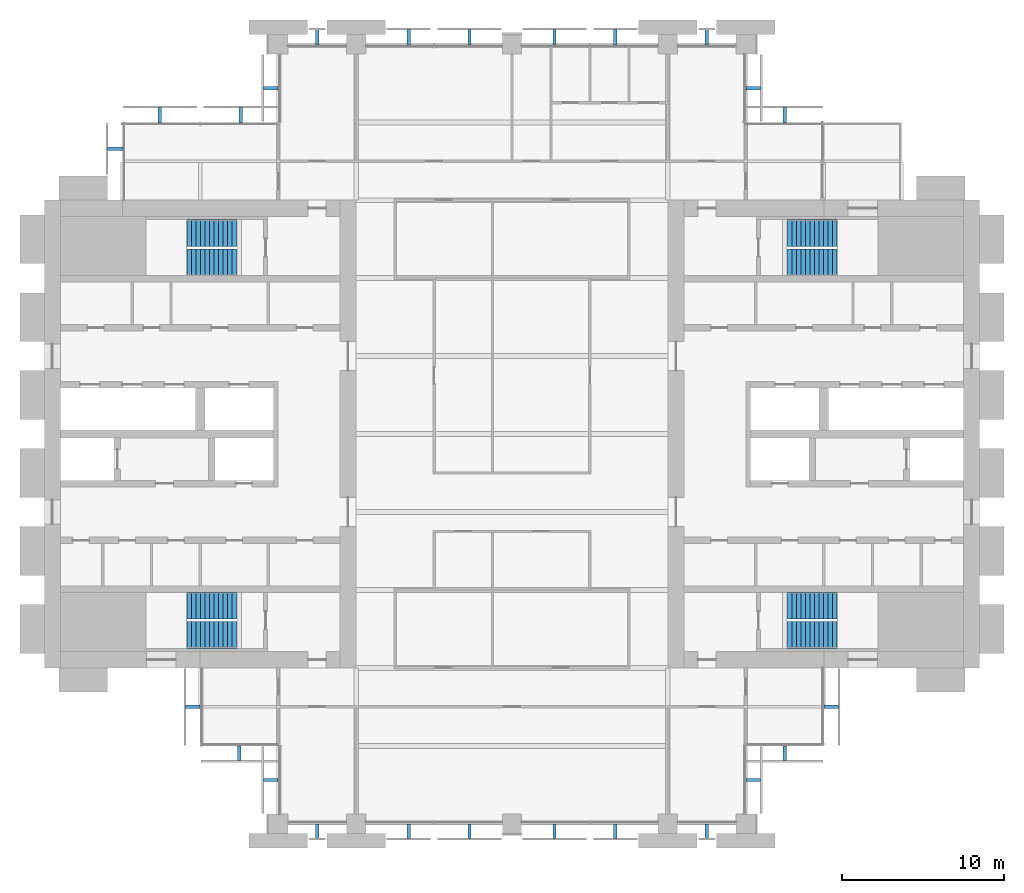
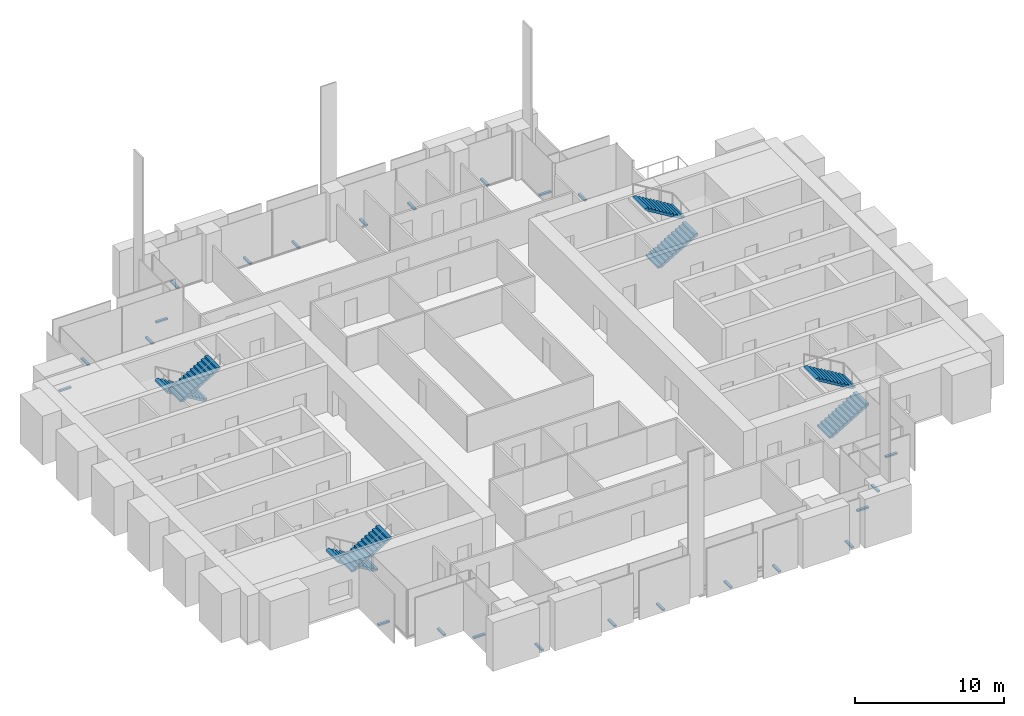
# One storey, part 13 of 14: 24 discrete accessories, 8 stair flights, 4 elements without a shape of their own.
"""IFC4 building model written with IfcOpenShell, lengths in metres."""

from ifc_helpers import new_model, si_unit, direction, frame, origin, origin_2d, place, context, subcontext, project, spatial, polyline, rectangle, outline, extrude, material, type_object, element, aggregate, save


model = new_model("IFC4")

# Units and contexts
model_context = context("Model", 3, precision=1e-05, world=origin(), true_north=direction((0.0, 1.0)))
body_context = subcontext(model_context, "Body", "Model", "MODEL_VIEW")
ifc_project = project(units=[si_unit("LENGTHUNIT", "METRE"), si_unit("AREAUNIT", "SQUARE_METRE"), si_unit("VOLUMEUNIT", "CUBIC_METRE"), si_unit("PLANEANGLEUNIT", "RADIAN"), si_unit("MASSUNIT", "GRAM", prefix="KILO")], contexts=[model_context])

# Site, building, storey
site_placement = place(None, origin())
site = spatial("IfcSite", under=ifc_project, at=site_placement, CompositionType="ELEMENT")
building_placement = place(site_placement, origin())
building = spatial("IfcBuilding", under=site, at=building_placement, Name="Baori Bourse Tower", CompositionType="ELEMENT")
storey_placement = place(building_placement, frame((0.0, 0.0, 144.10009765625)))
storey = spatial("IfcBuildingStorey", under=building, at=storey_placement, Name="L31", CompositionType="ELEMENT", Elevation=144.10009765625)

# Stair, stair flights
ifc_material_1 = material(Name="Concrete f'c 50 MPa", Category="concrete")
stair_type = type_object("IfcStairType", Name="Core stair", PredefinedType="HALF_TURN_STAIR", material=ifc_material_1)
stair_1_placement = place(storey_placement, origin())
stair_1 = element("IfcStair", 1, at=stair_1_placement, inside=storey, type_object=stair_type, Name="L31 Stair WA", PredefinedType="HALF_TURN_STAIR")
ifc_material_2 = material(Name="Concrete f'c 50 MPa", Category="concrete")
stair_flight_type = type_object("IfcStairFlightType", Name="Core stair flight", PredefinedType="STRAIGHT", material=ifc_material_2)
stair_flight_1_placement = place(storey_placement, frame((11.85009765625, 13.425048828125, 0.0), z_axis=(0.0, 0.0, 1.0), x_axis=(-1.0, 0.0, 0.0)))
stair_flight_1 = element("IfcStairFlight", 2, at=stair_flight_1_placement, type_object=stair_flight_type, Name="ST1 flight 1", NumberOfRisers=12, NumberOfTreads=11, PredefinedType="STRAIGHT", RiserHeight=0.166666667, TreadLength=0.28, context=body_context, shape_type="SweptSolid", body=[
    extrude(outline(polyline([(0.0, 0.0), (0.0, 0.166748046875), (0.280029296875, 0.166748046875), (0.280029296875, 0.333251953125), (0.56005859375, 0.333251953125), (0.56005859375, 0.5), (0.840087890625, 0.5), (0.840087890625, 0.666748046875), (1.1201171875, 0.666748046875), (1.1201171875, 0.833251953125), (1.39990234375, 0.833251953125), (1.39990234375, 1.0), (1.679931640625, 1.0), (1.679931640625, 1.166748046875), (1.9599609375, 1.166748046875), (1.9599609375, 1.333251953125), (2.239990234375, 1.333251953125), (2.239990234375, 1.5), (2.52001953125, 1.5), (2.52001953125, 1.666748046875), (2.800048828125, 1.666748046875), (2.800048828125, 1.833251953125), (3.080078125, 1.833251953125), (3.080078125, 2.0), (3.080078125, 1.658935546875), (0.29296875, 0.0), (0.0, 0.0)])), frame((0.0, 0.824951171875, 0.0), z_axis=(0.0, -1.0, 0.0), x_axis=(1.0, 0.0, 0.0)), (0.0, 0.0, 1.0), 1.64990234375),
])
stair_flight_2_placement = place(storey_placement, frame((8.77001953125, 11.625, 2.0), z_axis=(0.0, 0.0, 1.0), x_axis=(1.0, 0.0, 0.0)))
stair_flight_2 = element("IfcStairFlight", 3, at=stair_flight_2_placement, type_object=stair_flight_type, Name="ST1 flight 2", NumberOfRisers=12, NumberOfTreads=11, PredefinedType="STRAIGHT", RiserHeight=0.166666667, TreadLength=0.28, context=body_context, shape_type="SweptSolid", body=[
    extrude(outline(polyline([(0.0, 0.0), (0.0, 0.166748046875), (0.280029296875, 0.166748046875), (0.280029296875, 0.333251953125), (0.56005859375, 0.333251953125), (0.56005859375, 0.5), (0.840087890625, 0.5), (0.840087890625, 0.666748046875), (1.1201171875, 0.666748046875), (1.1201171875, 0.833251953125), (1.39990234375, 0.833251953125), (1.39990234375, 1.0), (1.679931640625, 1.0), (1.679931640625, 1.166748046875), (1.9599609375, 1.166748046875), (1.9599609375, 1.333251953125), (2.239990234375, 1.333251953125), (2.239990234375, 1.5), (2.52001953125, 1.5), (2.52001953125, 1.666748046875), (2.800048828125, 1.666748046875), (2.800048828125, 1.833251953125), (3.080078125, 1.833251953125), (3.080078125, 2.0), (3.080078125, 1.658935546875), (0.29296875, 0.0), (0.0, 0.0)])), frame((0.0, 0.824951171875, 0.0), z_axis=(0.0, -1.0, 0.0), x_axis=(1.0, 0.0, 0.0)), (0.0, 0.0, 1.0), 1.64990234375),
])
aggregate(stair_1, [stair_flight_1, stair_flight_2])

stair_2_placement = place(storey_placement, origin())
stair_2 = element("IfcStair", 4, at=stair_2_placement, inside=storey, type_object=stair_type, Name="L31 Stair WB", PredefinedType="HALF_TURN_STAIR")
stair_flight_3_placement = place(storey_placement, frame((11.85009765625, 36.375, 0.0), z_axis=(0.0, 0.0, 1.0), x_axis=(-1.0, 0.0, 0.0)))
stair_flight_3 = element("IfcStairFlight", 5, at=stair_flight_3_placement, type_object=stair_flight_type, Name="ST2 flight 1", NumberOfRisers=12, NumberOfTreads=11, PredefinedType="STRAIGHT", RiserHeight=0.166666667, TreadLength=0.28, context=body_context, shape_type="SweptSolid", body=[
    extrude(outline(polyline([(0.0, 0.0), (0.0, 0.166748046875), (0.280029296875, 0.166748046875), (0.280029296875, 0.333251953125), (0.56005859375, 0.333251953125), (0.56005859375, 0.5), (0.840087890625, 0.5), (0.840087890625, 0.666748046875), (1.1201171875, 0.666748046875), (1.1201171875, 0.833251953125), (1.39990234375, 0.833251953125), (1.39990234375, 1.0), (1.679931640625, 1.0), (1.679931640625, 1.166748046875), (1.9599609375, 1.166748046875), (1.9599609375, 1.333251953125), (2.239990234375, 1.333251953125), (2.239990234375, 1.5), (2.52001953125, 1.5), (2.52001953125, 1.666748046875), (2.800048828125, 1.666748046875), (2.800048828125, 1.833251953125), (3.080078125, 1.833251953125), (3.080078125, 2.0), (3.080078125, 1.658935546875), (0.29296875, 0.0), (0.0, 0.0)])), frame((0.0, 0.824951171875, 0.0), z_axis=(0.0, -1.0, 0.0), x_axis=(1.0, 0.0, 0.0)), (0.0, 0.0, 1.0), 1.64990234375),
])
stair_flight_4_placement = place(storey_placement, frame((8.77001953125, 34.574951171875, 2.0), z_axis=(0.0, 0.0, 1.0), x_axis=(1.0, 0.0, 0.0)))
stair_flight_4 = element("IfcStairFlight", 6, at=stair_flight_4_placement, type_object=stair_flight_type, Name="ST2 flight 2", NumberOfRisers=12, NumberOfTreads=11, PredefinedType="STRAIGHT", RiserHeight=0.166666667, TreadLength=0.28, context=body_context, shape_type="SweptSolid", body=[
    extrude(outline(polyline([(0.0, 0.0), (0.0, 0.166748046875), (0.280029296875, 0.166748046875), (0.280029296875, 0.333251953125), (0.56005859375, 0.333251953125), (0.56005859375, 0.5), (0.840087890625, 0.5), (0.840087890625, 0.666748046875), (1.1201171875, 0.666748046875), (1.1201171875, 0.833251953125), (1.39990234375, 0.833251953125), (1.39990234375, 1.0), (1.679931640625, 1.0), (1.679931640625, 1.166748046875), (1.9599609375, 1.166748046875), (1.9599609375, 1.333251953125), (2.239990234375, 1.333251953125), (2.239990234375, 1.5), (2.52001953125, 1.5), (2.52001953125, 1.666748046875), (2.800048828125, 1.666748046875), (2.800048828125, 1.833251953125), (3.080078125, 1.833251953125), (3.080078125, 2.0), (3.080078125, 1.658935546875), (0.29296875, 0.0), (0.0, 0.0)])), frame((0.0, 0.824951171875, 0.0), z_axis=(0.0, -1.0, 0.0), x_axis=(1.0, 0.0, 0.0)), (0.0, 0.0, 1.0), 1.64990234375),
])
aggregate(stair_2, [stair_flight_3, stair_flight_4])

stair_3_placement = place(storey_placement, origin())
stair_3 = element("IfcStair", 7, at=stair_3_placement, inside=storey, type_object=stair_type, Name="L31 Stair EA", PredefinedType="HALF_TURN_STAIR")
stair_flight_5_placement = place(storey_placement, frame((45.75, 11.625, 0.0), z_axis=(0.0, 0.0, 1.0), x_axis=(1.0, 0.0, 0.0)))
stair_flight_5 = element("IfcStairFlight", 8, at=stair_flight_5_placement, type_object=stair_flight_type, Name="ST3 flight 1", NumberOfRisers=12, NumberOfTreads=11, PredefinedType="STRAIGHT", RiserHeight=0.166666667, TreadLength=0.28, context=body_context, shape_type="SweptSolid", body=[
    extrude(outline(polyline([(0.0, 0.0), (0.0, 0.166748046875), (0.280029296875, 0.166748046875), (0.280029296875, 0.333251953125), (0.56005859375, 0.333251953125), (0.56005859375, 0.5), (0.840087890625, 0.5), (0.840087890625, 0.666748046875), (1.1201171875, 0.666748046875), (1.1201171875, 0.833251953125), (1.39990234375, 0.833251953125), (1.39990234375, 1.0), (1.679931640625, 1.0), (1.679931640625, 1.166748046875), (1.9599609375, 1.166748046875), (1.9599609375, 1.333251953125), (2.239990234375, 1.333251953125), (2.239990234375, 1.5), (2.52001953125, 1.5), (2.52001953125, 1.666748046875), (2.800048828125, 1.666748046875), (2.800048828125, 1.833251953125), (3.080078125, 1.833251953125), (3.080078125, 2.0), (3.080078125, 1.658935546875), (0.29296875, 0.0), (0.0, 0.0)])), frame((0.0, 0.824951171875, 0.0), z_axis=(0.0, -1.0, 0.0), x_axis=(1.0, 0.0, 0.0)), (0.0, 0.0, 1.0), 1.64990234375),
])
stair_flight_6_placement = place(storey_placement, frame((48.830078125, 13.425048828125, 2.0), z_axis=(0.0, 0.0, 1.0), x_axis=(-1.0, 0.0, 0.0)))
stair_flight_6 = element("IfcStairFlight", 9, at=stair_flight_6_placement, type_object=stair_flight_type, Name="ST3 flight 2", NumberOfRisers=12, NumberOfTreads=11, PredefinedType="STRAIGHT", RiserHeight=0.166666667, TreadLength=0.28, context=body_context, shape_type="SweptSolid", body=[
    extrude(outline(polyline([(0.0, 0.0), (0.0, 0.166748046875), (0.280029296875, 0.166748046875), (0.280029296875, 0.333251953125), (0.56005859375, 0.333251953125), (0.56005859375, 0.5), (0.840087890625, 0.5), (0.840087890625, 0.666748046875), (1.1201171875, 0.666748046875), (1.1201171875, 0.833251953125), (1.39990234375, 0.833251953125), (1.39990234375, 1.0), (1.679931640625, 1.0), (1.679931640625, 1.166748046875), (1.9599609375, 1.166748046875), (1.9599609375, 1.333251953125), (2.239990234375, 1.333251953125), (2.239990234375, 1.5), (2.52001953125, 1.5), (2.52001953125, 1.666748046875), (2.800048828125, 1.666748046875), (2.800048828125, 1.833251953125), (3.080078125, 1.833251953125), (3.080078125, 2.0), (3.080078125, 1.658935546875), (0.29296875, 0.0), (0.0, 0.0)])), frame((0.0, 0.824951171875, 0.0), z_axis=(0.0, -1.0, 0.0), x_axis=(1.0, 0.0, 0.0)), (0.0, 0.0, 1.0), 1.64990234375),
])
aggregate(stair_3, [stair_flight_5, stair_flight_6])

stair_4_placement = place(storey_placement, origin())
stair_4 = element("IfcStair", 10, at=stair_4_placement, inside=storey, type_object=stair_type, Name="L31 Stair EB", PredefinedType="HALF_TURN_STAIR")
stair_flight_7_placement = place(storey_placement, frame((45.75, 34.574951171875, 0.0), z_axis=(0.0, 0.0, 1.0), x_axis=(1.0, 0.0, 0.0)))
stair_flight_7 = element("IfcStairFlight", 11, at=stair_flight_7_placement, type_object=stair_flight_type, Name="ST4 flight 1", NumberOfRisers=12, NumberOfTreads=11, PredefinedType="STRAIGHT", RiserHeight=0.166666667, TreadLength=0.28, context=body_context, shape_type="SweptSolid", body=[
    extrude(outline(polyline([(0.0, 0.0), (0.0, 0.166748046875), (0.280029296875, 0.166748046875), (0.280029296875, 0.333251953125), (0.56005859375, 0.333251953125), (0.56005859375, 0.5), (0.840087890625, 0.5), (0.840087890625, 0.666748046875), (1.1201171875, 0.666748046875), (1.1201171875, 0.833251953125), (1.39990234375, 0.833251953125), (1.39990234375, 1.0), (1.679931640625, 1.0), (1.679931640625, 1.166748046875), (1.9599609375, 1.166748046875), (1.9599609375, 1.333251953125), (2.239990234375, 1.333251953125), (2.239990234375, 1.5), (2.52001953125, 1.5), (2.52001953125, 1.666748046875), (2.800048828125, 1.666748046875), (2.800048828125, 1.833251953125), (3.080078125, 1.833251953125), (3.080078125, 2.0), (3.080078125, 1.658935546875), (0.29296875, 0.0), (0.0, 0.0)])), frame((0.0, 0.824951171875, 0.0), z_axis=(0.0, -1.0, 0.0), x_axis=(1.0, 0.0, 0.0)), (0.0, 0.0, 1.0), 1.64990234375),
])
stair_flight_8_placement = place(storey_placement, frame((48.830078125, 36.375, 2.0), z_axis=(0.0, 0.0, 1.0), x_axis=(-1.0, 0.0, 0.0)))
stair_flight_8 = element("IfcStairFlight", 12, at=stair_flight_8_placement, type_object=stair_flight_type, Name="ST4 flight 2", NumberOfRisers=12, NumberOfTreads=11, PredefinedType="STRAIGHT", RiserHeight=0.166666667, TreadLength=0.28, context=body_context, shape_type="SweptSolid", body=[
    extrude(outline(polyline([(0.0, 0.0), (0.0, 0.166748046875), (0.280029296875, 0.166748046875), (0.280029296875, 0.333251953125), (0.56005859375, 0.333251953125), (0.56005859375, 0.5), (0.840087890625, 0.5), (0.840087890625, 0.666748046875), (1.1201171875, 0.666748046875), (1.1201171875, 0.833251953125), (1.39990234375, 0.833251953125), (1.39990234375, 1.0), (1.679931640625, 1.0), (1.679931640625, 1.166748046875), (1.9599609375, 1.166748046875), (1.9599609375, 1.333251953125), (2.239990234375, 1.333251953125), (2.239990234375, 1.5), (2.52001953125, 1.5), (2.52001953125, 1.666748046875), (2.800048828125, 1.666748046875), (2.800048828125, 1.833251953125), (3.080078125, 1.833251953125), (3.080078125, 2.0), (3.080078125, 1.658935546875), (0.29296875, 0.0), (0.0, 0.0)])), frame((0.0, 0.824951171875, 0.0), z_axis=(0.0, -1.0, 0.0), x_axis=(1.0, 0.0, 0.0)), (0.0, 0.0, 1.0), 1.64990234375),
])
aggregate(stair_4, [stair_flight_7, stair_flight_8])

# Discrete accessories
ifc_material_3 = material(Name="Pale anodised aluminium", Category="aluminium")
discrete_accessory_type = type_object("IfcDiscreteAccessoryType", Name="OS2 Outer skin bracket", PredefinedType="BRACKET", material=ifc_material_3)
for number, where, z_axis, x_axis, name in (
    (13, (45.60009765625, 43.64990234375, -0.14404296875), (0.0, 0.0, 1.0), (-1.0, 0.0, 0.0), "Outer skin bracket L31 1"),
    (14, (43.64990234375, 45.300048828125, -0.14404296875), (0.0, 0.0, 1.0), (0.0, 1.0, 0.0), "Outer skin bracket L31 2"),
    (15, (40.800048828125, 48.449951171875, -0.14404296875), (0.0, 0.0, 1.0), (-1.0, 0.0, 0.0), "Outer skin bracket L31 3"),
    (16, (35.16259765625, 48.449951171875, -0.14404296875), (0.0, 0.0, 1.0), (-1.0, 0.0, 0.0), "Outer skin bracket L31 4"),
    (17, (31.41259765625, 48.449951171875, -0.14404296875), (0.0, 0.0, 1.0), (-1.0, 0.0, 0.0), "Outer skin bracket L31 5"),
    (18, (26.1875, 48.449951171875, -0.14404296875), (0.0, 0.0, 1.0), (-1.0, 0.0, 0.0), "Outer skin bracket L31 6"),
    (19, (22.4375, 48.449951171875, -0.14404296875), (0.0, 0.0, 1.0), (-1.0, 0.0, 0.0), "Outer skin bracket L31 7"),
    (20, (16.800048828125, 48.449951171875, -0.14404296875), (0.0, 0.0, 1.0), (-1.0, 0.0, 0.0), "Outer skin bracket L31 8"),
    (21, (13.949951171875, 45.300048828125, -0.14404296875), (0.0, 0.0, 1.0), (0.0, -1.0, 0.0), "Outer skin bracket L31 9"),
    (22, (12.08740234375, 43.64990234375, -0.14404296875), (0.0, 0.0, 1.0), (-1.0, 0.0, 0.0), "Outer skin bracket L31 10"),
    (23, (7.112548828125, 43.64990234375, -0.14404296875), (0.0, 0.0, 1.0), (-1.0, 0.0, 0.0), "Outer skin bracket L31 11"),
    (24, (4.35009765625, 41.574951171875, -0.14404296875), (0.0, 0.0, 1.0), (0.0, -1.0, 0.0), "Outer skin bracket L31 12"),
    (25, (9.14990234375, 7.199951171875, -0.14404296875), (0.0, 0.0, 1.0), (0.0, -1.0, 0.0), "Outer skin bracket L31 13"),
    (26, (12.0, 4.35009765625, -0.14404296875), (0.0, 0.0, 1.0), (1.0, 0.0, 0.0), "Outer skin bracket L31 14"),
    (27, (13.949951171875, 2.699951171875, -0.14404296875), (0.0, 0.0, 1.0), (0.0, -1.0, 0.0), "Outer skin bracket L31 15"),
    (28, (16.800048828125, -0.449951171875, -0.14404296875), (0.0, 0.0, 1.0), (1.0, 0.0, 0.0), "Outer skin bracket L31 16"),
    (29, (22.4375, -0.449951171875, -0.14404296875), (0.0, 0.0, 1.0), (1.0, 0.0, 0.0), "Outer skin bracket L31 17"),
    (30, (26.1875, -0.449951171875, -0.14404296875), (0.0, 0.0, 1.0), (1.0, 0.0, 0.0), "Outer skin bracket L31 18"),
    (31, (31.41259765625, -0.449951171875, -0.14404296875), (0.0, 0.0, 1.0), (1.0, 0.0, 0.0), "Outer skin bracket L31 19"),
    (32, (35.16259765625, -0.449951171875, -0.14404296875), (0.0, 0.0, 1.0), (1.0, 0.0, 0.0), "Outer skin bracket L31 20"),
    (33, (40.800048828125, -0.449951171875, -0.14404296875), (0.0, 0.0, 1.0), (1.0, 0.0, 0.0), "Outer skin bracket L31 21"),
    (34, (43.64990234375, 2.699951171875, -0.14404296875), (0.0, 0.0, 1.0), (0.0, 1.0, 0.0), "Outer skin bracket L31 22"),
    (35, (45.60009765625, 4.35009765625, -0.14404296875), (0.0, 0.0, 1.0), (1.0, 0.0, 0.0), "Outer skin bracket L31 23"),
    (36, (48.449951171875, 7.199951171875, -0.14404296875), (0.0, 0.0, 1.0), (0.0, 1.0, 0.0), "Outer skin bracket L31 24"),
):
    element("IfcDiscreteAccessory", number, at=place(storey_placement, frame(where, z_axis=z_axis, x_axis=x_axis)), inside=storey, type_object=discrete_accessory_type, Name=name, PredefinedType="BRACKET", context=body_context, shape_type="SweptSolid", body=[
        extrude(rectangle(XDim=0.199951171875, YDim=0.89990234375, at=origin_2d()), origin(), (0.0, 0.0, 1.0), 0.1279296875),
    ])

save(model, "model.ifc")
